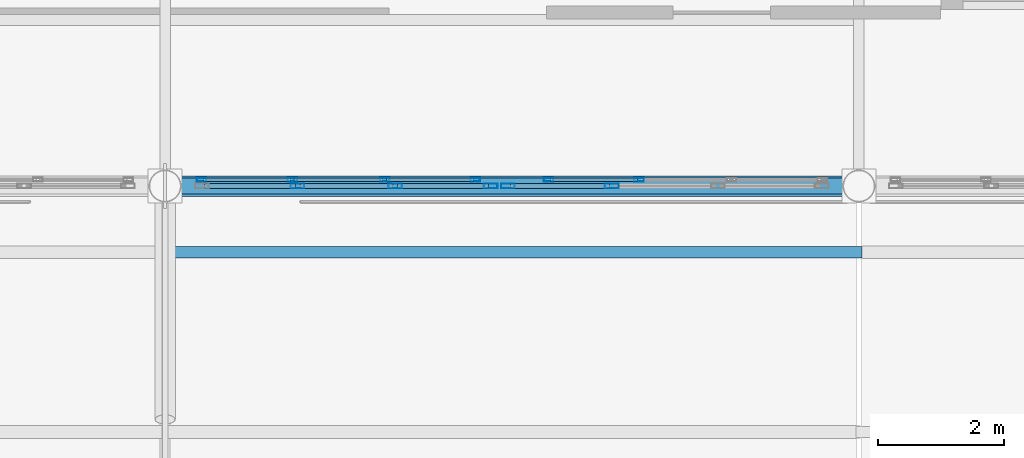
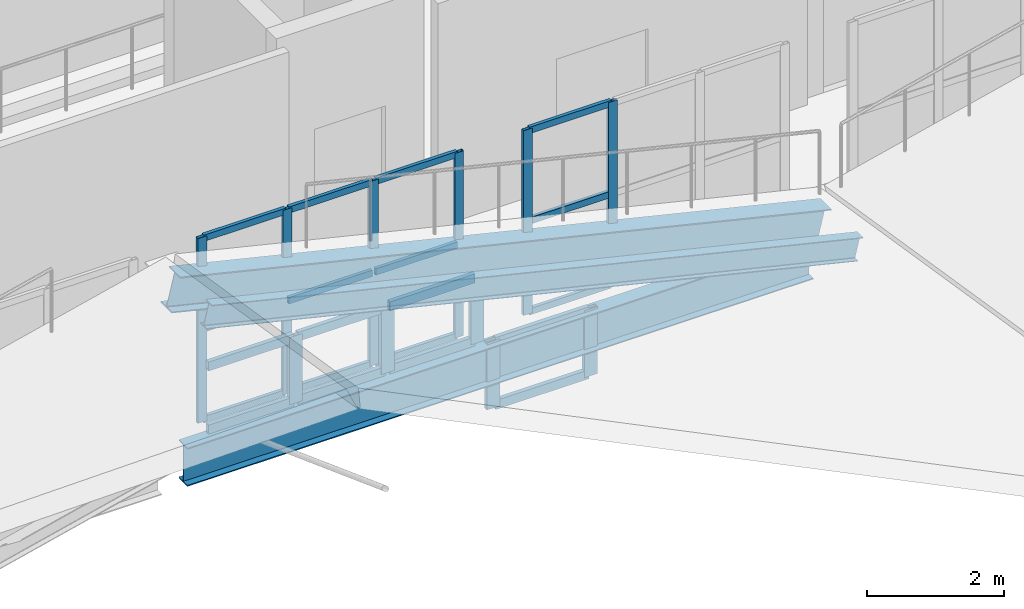
# One storey, part 31 of 120: 32 members, 2 beams, 4 elements without a shape of their own.
"""IFC4 building model written with IfcOpenShell, lengths in metres."""

from ifc_helpers import new_model, si_unit, direction, frame, origin, origin_2d, place, context, subcontext, project, spatial, hollow_rectangle, i_section, extrude, material, material_profile, profile_set, type_object, element, aggregate, save


model = new_model("IFC4")

# Units and contexts
model_context = context("Model", 3, precision=1e-05, world=origin(), true_north=direction((0.0, 1.0)))
body_context = subcontext(model_context, "Body", "Model", "MODEL_VIEW")
ifc_project = project(units=[si_unit("LENGTHUNIT", "METRE"), si_unit("AREAUNIT", "SQUARE_METRE"), si_unit("VOLUMEUNIT", "CUBIC_METRE"), si_unit("PLANEANGLEUNIT", "RADIAN"), si_unit("MASSUNIT", "GRAM", prefix="KILO")], contexts=[model_context])

# Site, building, storey
site_placement = place(None, origin())
site = spatial("IfcSite", under=ifc_project, at=site_placement, CompositionType="ELEMENT")
building_placement = place(site_placement, origin())
building = spatial("IfcBuilding", under=site, at=building_placement, Name="Caurita Quay Ferry Terminal", CompositionType="ELEMENT")
storey_placement = place(building_placement, frame((0.0, 0.0, 9.89990234375)))
storey = spatial("IfcBuildingStorey", under=building, at=storey_placement, Name="L02", CompositionType="ELEMENT", Elevation=9.89990234375)

# Beams
ifc_material_1 = material(Name="Structural steel ASTM A992 Gr. 50", Category="steel")
ifc_material_profile_1 = material_profile(ifc_material_1, i_section(OverallWidth=0.3251953125, OverallDepth=0.612060546875, WebThickness=0.0126953125, FlangeThickness=0.01904296875, FilletRadius=0.01513671875, at=origin_2d()), Name="W24X104")
ifc_profile_set_1 = profile_set([ifc_material_profile_1], Name="Structural steel ASTM A992 Gr. 50")
beam_type_1 = type_object("IfcBeamType", Name="BM-GR-W24A", PredefinedType="BEAM", material=ifc_profile_set_1)
beam_1_placement = place(storey_placement, frame((55.0, 62.699951171875, 2.610107421875), z_axis=(0.972389456854, 0.0, -0.233363973654), x_axis=(0.0, 1.0, 0.0)))
element("IfcBeam", 1, at=beam_1_placement, inside=storey, type_object=beam_type_1, Name="Folded Roof Gable Ring Girder V1-N-55", PredefinedType="BEAM", context=body_context, shape_type="SweptSolid", body=[
    extrude(i_section(OverallWidth=0.3251953125, OverallDepth=0.612060546875, WebThickness=0.0126953125, FlangeThickness=0.01904296875, FilletRadius=0.01513671875, at=origin_2d()), origin(), (0.0, 0.0, 1.0), 11.312255859375),
])
ifc_material_profile_2 = material_profile(ifc_material_1, i_section(OverallWidth=0.25390625, OverallDepth=0.68310546875, WebThickness=0.012451171875, FlangeThickness=0.018798828125, at=origin_2d()), Name="W27X94")
ifc_profile_set_2 = profile_set([ifc_material_profile_2], Name="Structural steel ASTM A992 Gr. 50")
beam_type_2 = type_object("IfcBeamType", Name="BM-GR-W27B", PredefinedType="BEAM", material=ifc_profile_set_2)
beam_2_placement = place(storey_placement, frame((55.2158203125, 62.699951171875, -0.5615234375), z_axis=(1.0, 0.0, 0.0), x_axis=(0.0, 1.0, 0.0)))
element("IfcBeam", 2, at=beam_2_placement, inside=storey, type_object=beam_type_2, Name="L02 Beam BM-V1-L02-X-552-627", PredefinedType="BEAM", context=body_context, shape_type="SweptSolid", body=[
    extrude(i_section(OverallWidth=0.25390625, OverallDepth=0.68310546875, WebThickness=0.012451171875, FlangeThickness=0.018798828125, at=origin_2d()), origin(), (0.0, 0.0, 1.0), 10.568359375),
])

# Curtain wall, members
ifc_material_2 = material(Name="Laminated solar-control insulated glass", Category="glass")
curtain_wall_type_1 = type_object("IfcCurtainWallType", Name="CW-SYS-13", PredefinedType="NOTDEFINED", material=ifc_material_2)
curtain_wall_1_placement = place(storey_placement, origin())
curtain_wall_1 = element("IfcCurtainWall", 3, at=curtain_wall_1_placement, inside=storey, type_object=curtain_wall_type_1, Name="Mezzanine Hall Overlook Glazing 099", PredefinedType="NOTDEFINED")
ifc_material_3 = material(Name="Anodized aluminium 6063-T6", Category="aluminium")
ifc_material_profile_3 = material_profile(ifc_material_3, hollow_rectangle(XDim=0.06005859375, YDim=0.14990234375, WallThickness=0.00341796875, at=origin_2d()), Name="ALU-MUL-60X150")
ifc_profile_set_3 = profile_set([ifc_material_profile_3], Name="Anodized aluminium 6063-T6")
member_type_1 = type_object("IfcMemberType", Name="CW-MUL-150", PredefinedType="MULLION", material=ifc_profile_set_3)
member_1_placement = place(storey_placement, frame((55.580078125, 62.800048828125, 0.0), z_axis=(0.0, 0.0, 1.0), x_axis=(0.0, 1.0, 0.0)))
member_1 = element("IfcMember", 4, at=member_1_placement, type_object=member_type_1, Name="CW-MZL-099 Mullion 1", PredefinedType="MULLION", context=body_context, shape_type="SweptSolid", body=[
    extrude(hollow_rectangle(XDim=0.06005859375, YDim=0.14990234375, WallThickness=0.00341796875, at=origin_2d()), origin(), (0.0, 0.0, 1.0), 3.300048828125),
])
member_2_placement = place(storey_placement, frame((57.0166015625, 62.800048828125, 0.0), z_axis=(0.0, 0.0, 1.0), x_axis=(0.0, 1.0, 0.0)))
member_2 = element("IfcMember", 5, at=member_2_placement, type_object=member_type_1, Name="CW-MZL-099 Mullion 2", PredefinedType="MULLION", context=body_context, shape_type="SweptSolid", body=[
    extrude(hollow_rectangle(XDim=0.06005859375, YDim=0.14990234375, WallThickness=0.00341796875, at=origin_2d()), origin(), (0.0, 0.0, 1.0), 3.300048828125),
])
member_3_placement = place(storey_placement, frame((58.4833984375, 62.800048828125, 0.0), z_axis=(0.0, 0.0, 1.0), x_axis=(0.0, 1.0, 0.0)))
member_3 = element("IfcMember", 6, at=member_3_placement, type_object=member_type_1, Name="CW-MZL-099 Mullion 3", PredefinedType="MULLION", context=body_context, shape_type="SweptSolid", body=[
    extrude(hollow_rectangle(XDim=0.06005859375, YDim=0.14990234375, WallThickness=0.00341796875, at=origin_2d()), origin(), (0.0, 0.0, 1.0), 3.300048828125),
])
member_4_placement = place(storey_placement, frame((59.919921875, 62.800048828125, 0.0), z_axis=(0.0, 0.0, 1.0), x_axis=(0.0, 1.0, 0.0)))
member_4 = element("IfcMember", 7, at=member_4_placement, type_object=member_type_1, Name="CW-MZL-099 Mullion 4", PredefinedType="MULLION", context=body_context, shape_type="SweptSolid", body=[
    extrude(hollow_rectangle(XDim=0.06005859375, YDim=0.14990234375, WallThickness=0.00341796875, at=origin_2d()), origin(), (0.0, 0.0, 1.0), 3.300048828125),
])

curtain_wall_2_placement = place(storey_placement, origin())
curtain_wall_2 = element("IfcCurtainWall", 8, at=curtain_wall_2_placement, inside=storey, type_object=curtain_wall_type_1, Name="Mezzanine Hall Overlook Glazing 100", PredefinedType="NOTDEFINED")
member_5_placement = place(storey_placement, frame((61.080078125, 62.800048828125, 0.0), z_axis=(0.0, 0.0, 1.0), x_axis=(0.0, 1.0, 0.0)))
member_5 = element("IfcMember", 9, at=member_5_placement, type_object=member_type_1, Name="CW-MZL-100 Mullion 1", PredefinedType="MULLION", context=body_context, shape_type="SweptSolid", body=[
    extrude(hollow_rectangle(XDim=0.06005859375, YDim=0.14990234375, WallThickness=0.00341796875, at=origin_2d()), origin(), (0.0, 0.0, 1.0), 3.300048828125),
])
member_6_placement = place(storey_placement, frame((62.5166015625, 62.800048828125, 0.0), z_axis=(0.0, 0.0, 1.0), x_axis=(0.0, 1.0, 0.0)))
member_6 = element("IfcMember", 10, at=member_6_placement, type_object=member_type_1, Name="CW-MZL-100 Mullion 2", PredefinedType="MULLION", context=body_context, shape_type="SweptSolid", body=[
    extrude(hollow_rectangle(XDim=0.06005859375, YDim=0.14990234375, WallThickness=0.00341796875, at=origin_2d()), origin(), (0.0, 0.0, 1.0), 3.300048828125),
])

curtain_wall_type_2 = type_object("IfcCurtainWallType", Name="CW-SYS-05", PredefinedType="NOTDEFINED", material=ifc_material_2)
curtain_wall_3_placement = place(storey_placement, origin())
curtain_wall_3 = element("IfcCurtainWall", 11, at=curtain_wall_3_placement, inside=storey, type_object=curtain_wall_type_2, Name="Folded Roof Clerestory FB-03-N3", PredefinedType="NOTDEFINED")
ifc_material_profile_4 = material_profile(ifc_material_3, hollow_rectangle(XDim=0.074951171875, YDim=0.219970703125, WallThickness=0.00390625, at=origin_2d()), Name="ALU-MUL-75X220")
ifc_profile_set_4 = profile_set([ifc_material_profile_4], Name="Anodized aluminium 6063-T6")
member_type_2 = type_object("IfcMemberType", Name="CW-MUL-220", PredefinedType="MULLION", material=ifc_profile_set_4)
member_7_placement = place(storey_placement, frame((57.10009765625, 62.699951171875, -0.122802734375), z_axis=(0.0, 0.0, 1.0), x_axis=(0.0, 1.0, 0.0)))
member_7 = element("IfcMember", 12, at=member_7_placement, type_object=member_type_2, Name="CW-CLR-023 Mullion 2", PredefinedType="MULLION", context=body_context, shape_type="SweptSolid", body=[
    extrude(hollow_rectangle(XDim=0.074951171875, YDim=0.219970703125, WallThickness=0.00390625, at=origin_2d()), origin(), (0.0, 0.0, 1.0), 1.199951171875),
])
member_8_placement = place(storey_placement, frame((58.64990234375, 62.699951171875, -0.122802734375), z_axis=(0.0, 0.0, 1.0), x_axis=(0.0, 1.0, 0.0)))
member_8 = element("IfcMember", 13, at=member_8_placement, type_object=member_type_2, Name="CW-CLR-023 Mullion 3", PredefinedType="MULLION", context=body_context, shape_type="SweptSolid", body=[
    extrude(hollow_rectangle(XDim=0.074951171875, YDim=0.219970703125, WallThickness=0.00390625, at=origin_2d()), origin(), (0.0, 0.0, 1.0), 1.199951171875),
])
member_9_placement = place(storey_placement, frame((60.16259765625, 62.699951171875, -0.122802734375), z_axis=(0.0, 0.0, 1.0), x_axis=(0.0, 1.0, 0.0)))
member_9 = element("IfcMember", 14, at=member_9_placement, type_object=member_type_2, Name="CW-CLR-023 Mullion 4", PredefinedType="MULLION", context=body_context, shape_type="SweptSolid", body=[
    extrude(hollow_rectangle(XDim=0.074951171875, YDim=0.219970703125, WallThickness=0.00390625, at=origin_2d()), origin(), (0.0, 0.0, 1.0), 1.199951171875),
])

curtain_wall_type_3 = type_object("IfcCurtainWallType", Name="CW-SYS-06", PredefinedType="NOTDEFINED", material=ifc_material_2)
curtain_wall_4_placement = place(storey_placement, origin())
curtain_wall_4 = element("IfcCurtainWall", 15, at=curtain_wall_4_placement, inside=storey, type_object=curtain_wall_type_3, Name="Folded Roof Clerestory FB-03-N4", PredefinedType="NOTDEFINED")
member_10_placement = place(storey_placement, frame((60.4375, 62.699951171875, -1.3828125), z_axis=(0.0, 0.0, 1.0), x_axis=(0.0, 1.0, 0.0)))
member_10 = element("IfcMember", 16, at=member_10_placement, type_object=member_type_2, Name="CW-CLR-024 Mullion 1", PredefinedType="MULLION", context=body_context, shape_type="SweptSolid", body=[
    extrude(hollow_rectangle(XDim=0.074951171875, YDim=0.219970703125, WallThickness=0.00390625, at=origin_2d()), origin(), (0.0, 0.0, 1.0), 1.199951171875),
])
member_11_placement = place(storey_placement, frame((62.083251953125, 62.699951171875, -1.3828125), z_axis=(0.0, 0.0, 1.0), x_axis=(0.0, 1.0, 0.0)))
member_11 = element("IfcMember", 17, at=member_11_placement, type_object=member_type_2, Name="CW-CLR-024 Mullion 2", PredefinedType="MULLION", context=body_context, shape_type="SweptSolid", body=[
    extrude(hollow_rectangle(XDim=0.074951171875, YDim=0.219970703125, WallThickness=0.00390625, at=origin_2d()), origin(), (0.0, 0.0, 1.0), 1.199951171875),
])

# Member
ifc_material_profile_5 = material_profile(ifc_material_3, hollow_rectangle(XDim=0.06005859375, YDim=0.114990234375, WallThickness=0.00341796875, at=origin_2d()), Name="ALU-TRN-60X115")
ifc_profile_set_5 = profile_set([ifc_material_profile_5], Name="Anodized aluminium 6063-T6")
member_type_3 = type_object("IfcMemberType", Name="CW-TRN-115", PredefinedType="USERDEFINED", material=ifc_profile_set_5)
member_12_placement = place(storey_placement, frame((55.60791015625, 62.800048828125, 0.030029296875), z_axis=(1.0, 0.0, 0.0), x_axis=(0.0, 1.0, 0.0)))
member_12 = element("IfcMember", 18, at=member_12_placement, type_object=member_type_3, Name="CW-MZL-099 Transom 1", ObjectType="TRANSOM", PredefinedType="USERDEFINED", context=body_context, shape_type="SweptSolid", body=[
    extrude(hollow_rectangle(XDim=0.06005859375, YDim=0.114990234375, WallThickness=0.00341796875, at=origin_2d()), origin(), (0.0, 0.0, 1.0), 1.380859375),
])

member_13_placement = place(storey_placement, frame((55.60791015625, 62.800048828125, 1.650146484375), z_axis=(1.0, 0.0, 0.0), x_axis=(0.0, 1.0, 0.0)))
member_13 = element("IfcMember", 19, at=member_13_placement, type_object=member_type_3, Name="CW-MZL-099 Transom 2", ObjectType="TRANSOM", PredefinedType="USERDEFINED", context=body_context, shape_type="SweptSolid", body=[
    extrude(hollow_rectangle(XDim=0.06005859375, YDim=0.114990234375, WallThickness=0.00341796875, at=origin_2d()), origin(), (0.0, 0.0, 1.0), 1.380859375),
])

member_14_placement = place(storey_placement, frame((55.60791015625, 62.800048828125, 3.27001953125), z_axis=(1.0, 0.0, 0.0), x_axis=(0.0, 1.0, 0.0)))
member_14 = element("IfcMember", 20, at=member_14_placement, type_object=member_type_3, Name="CW-MZL-099 Transom 3", ObjectType="TRANSOM", PredefinedType="USERDEFINED", context=body_context, shape_type="SweptSolid", body=[
    extrude(hollow_rectangle(XDim=0.06005859375, YDim=0.114990234375, WallThickness=0.00341796875, at=origin_2d()), origin(), (0.0, 0.0, 1.0), 1.380859375),
])

member_15_placement = place(storey_placement, frame((57.044677734375, 62.800048828125, 0.030029296875), z_axis=(1.0, 0.0, 0.0), x_axis=(0.0, 1.0, 0.0)))
member_15 = element("IfcMember", 21, at=member_15_placement, type_object=member_type_3, Name="CW-MZL-099 Transom 4", ObjectType="TRANSOM", PredefinedType="USERDEFINED", context=body_context, shape_type="SweptSolid", body=[
    extrude(hollow_rectangle(XDim=0.06005859375, YDim=0.114990234375, WallThickness=0.00341796875, at=origin_2d()), origin(), (0.0, 0.0, 1.0), 1.41064453125),
])

member_16_placement = place(storey_placement, frame((57.044677734375, 62.800048828125, 1.650146484375), z_axis=(1.0, 0.0, 0.0), x_axis=(0.0, 1.0, 0.0)))
member_16 = element("IfcMember", 22, at=member_16_placement, type_object=member_type_3, Name="CW-MZL-099 Transom 5", ObjectType="TRANSOM", PredefinedType="USERDEFINED", context=body_context, shape_type="SweptSolid", body=[
    extrude(hollow_rectangle(XDim=0.06005859375, YDim=0.114990234375, WallThickness=0.00341796875, at=origin_2d()), origin(), (0.0, 0.0, 1.0), 1.41064453125),
])

member_17_placement = place(storey_placement, frame((57.044677734375, 62.800048828125, 3.27001953125), z_axis=(1.0, 0.0, 0.0), x_axis=(0.0, 1.0, 0.0)))
member_17 = element("IfcMember", 23, at=member_17_placement, type_object=member_type_3, Name="CW-MZL-099 Transom 6", ObjectType="TRANSOM", PredefinedType="USERDEFINED", context=body_context, shape_type="SweptSolid", body=[
    extrude(hollow_rectangle(XDim=0.06005859375, YDim=0.114990234375, WallThickness=0.00341796875, at=origin_2d()), origin(), (0.0, 0.0, 1.0), 1.41064453125),
])

member_18_placement = place(storey_placement, frame((58.51123046875, 62.800048828125, 0.030029296875), z_axis=(1.0, 0.0, 0.0), x_axis=(0.0, 1.0, 0.0)))
member_18 = element("IfcMember", 24, at=member_18_placement, type_object=member_type_3, Name="CW-MZL-099 Transom 7", ObjectType="TRANSOM", PredefinedType="USERDEFINED", context=body_context, shape_type="SweptSolid", body=[
    extrude(hollow_rectangle(XDim=0.06005859375, YDim=0.114990234375, WallThickness=0.00341796875, at=origin_2d()), origin(), (0.0, 0.0, 1.0), 1.380859375),
])

member_19_placement = place(storey_placement, frame((58.51123046875, 62.800048828125, 1.650146484375), z_axis=(1.0, 0.0, 0.0), x_axis=(0.0, 1.0, 0.0)))
member_19 = element("IfcMember", 25, at=member_19_placement, type_object=member_type_3, Name="CW-MZL-099 Transom 8", ObjectType="TRANSOM", PredefinedType="USERDEFINED", context=body_context, shape_type="SweptSolid", body=[
    extrude(hollow_rectangle(XDim=0.06005859375, YDim=0.114990234375, WallThickness=0.00341796875, at=origin_2d()), origin(), (0.0, 0.0, 1.0), 1.380859375),
])

member_20_placement = place(storey_placement, frame((58.51123046875, 62.800048828125, 3.27001953125), z_axis=(1.0, 0.0, 0.0), x_axis=(0.0, 1.0, 0.0)))
member_20 = element("IfcMember", 26, at=member_20_placement, type_object=member_type_3, Name="CW-MZL-099 Transom 9", ObjectType="TRANSOM", PredefinedType="USERDEFINED", context=body_context, shape_type="SweptSolid", body=[
    extrude(hollow_rectangle(XDim=0.06005859375, YDim=0.114990234375, WallThickness=0.00341796875, at=origin_2d()), origin(), (0.0, 0.0, 1.0), 1.380859375),
])

aggregate(curtain_wall_1, [member_1, member_2, member_3, member_4, member_12, member_13, member_14, member_15, member_16, member_17, member_18, member_19, member_20])

member_21_placement = place(storey_placement, frame((61.10791015625, 62.800048828125, 0.030029296875), z_axis=(1.0, 0.0, 0.0), x_axis=(0.0, 1.0, 0.0)))
member_21 = element("IfcMember", 27, at=member_21_placement, type_object=member_type_3, Name="CW-MZL-100 Transom 1", ObjectType="TRANSOM", PredefinedType="USERDEFINED", context=body_context, shape_type="SweptSolid", body=[
    extrude(hollow_rectangle(XDim=0.06005859375, YDim=0.114990234375, WallThickness=0.00341796875, at=origin_2d()), origin(), (0.0, 0.0, 1.0), 1.380859375),
])

member_22_placement = place(storey_placement, frame((61.10791015625, 62.800048828125, 1.650146484375), z_axis=(1.0, 0.0, 0.0), x_axis=(0.0, 1.0, 0.0)))
member_22 = element("IfcMember", 28, at=member_22_placement, type_object=member_type_3, Name="CW-MZL-100 Transom 2", ObjectType="TRANSOM", PredefinedType="USERDEFINED", context=body_context, shape_type="SweptSolid", body=[
    extrude(hollow_rectangle(XDim=0.06005859375, YDim=0.114990234375, WallThickness=0.00341796875, at=origin_2d()), origin(), (0.0, 0.0, 1.0), 1.380859375),
])

member_23_placement = place(storey_placement, frame((61.10791015625, 62.800048828125, 3.27001953125), z_axis=(1.0, 0.0, 0.0), x_axis=(0.0, 1.0, 0.0)))
member_23 = element("IfcMember", 29, at=member_23_placement, type_object=member_type_3, Name="CW-MZL-100 Transom 3", ObjectType="TRANSOM", PredefinedType="USERDEFINED", context=body_context, shape_type="SweptSolid", body=[
    extrude(hollow_rectangle(XDim=0.06005859375, YDim=0.114990234375, WallThickness=0.00341796875, at=origin_2d()), origin(), (0.0, 0.0, 1.0), 1.380859375),
])

aggregate(curtain_wall_2, [member_5, member_6, member_21, member_22, member_23])

ifc_material_profile_6 = material_profile(ifc_material_3, hollow_rectangle(XDim=0.074951171875, YDim=0.159912109375, WallThickness=0.00390625, at=origin_2d()), Name="ALU-TRN-75X160")
ifc_profile_set_6 = profile_set([ifc_material_profile_6], Name="Anodized aluminium 6063-T6")
member_type_4 = type_object("IfcMemberType", Name="CW-TRN-160", PredefinedType="USERDEFINED", material=ifc_profile_set_6)
member_24_placement = place(storey_placement, frame((55.623046875, 62.699951171875, -0.08544921875), z_axis=(1.0, 0.0, 0.0), x_axis=(0.0, 1.0, 0.0)))
member_24 = element("IfcMember", 30, at=member_24_placement, type_object=member_type_4, Name="CW-CLR-023 Transom 1", ObjectType="TRANSOM", PredefinedType="USERDEFINED", context=body_context, shape_type="SweptSolid", body=[
    extrude(hollow_rectangle(XDim=0.074951171875, YDim=0.159912109375, WallThickness=0.00390625, at=origin_2d()), origin(), (0.0, 0.0, 1.0), 1.44140625),
])

member_25_placement = place(storey_placement, frame((55.623046875, 62.699951171875, 1.03955078125), z_axis=(1.0, 0.0, 0.0), x_axis=(0.0, 1.0, 0.0)))
member_25 = element("IfcMember", 31, at=member_25_placement, type_object=member_type_4, Name="CW-CLR-023 Transom 2", ObjectType="TRANSOM", PredefinedType="USERDEFINED", context=body_context, shape_type="SweptSolid", body=[
    extrude(hollow_rectangle(XDim=0.074951171875, YDim=0.159912109375, WallThickness=0.00390625, at=origin_2d()), origin(), (0.0, 0.0, 1.0), 1.44140625),
])

member_26_placement = place(storey_placement, frame((57.135498046875, 62.699951171875, -0.08544921875), z_axis=(1.0, 0.0, 0.0), x_axis=(0.0, 1.0, 0.0)))
member_26 = element("IfcMember", 32, at=member_26_placement, type_object=member_type_4, Name="CW-CLR-023 Transom 3", ObjectType="TRANSOM", PredefinedType="USERDEFINED", context=body_context, shape_type="SweptSolid", body=[
    extrude(hollow_rectangle(XDim=0.074951171875, YDim=0.159912109375, WallThickness=0.00390625, at=origin_2d()), origin(), (0.0, 0.0, 1.0), 1.47900390625),
])

member_27_placement = place(storey_placement, frame((57.135498046875, 62.699951171875, 1.03955078125), z_axis=(1.0, 0.0, 0.0), x_axis=(0.0, 1.0, 0.0)))
member_27 = element("IfcMember", 33, at=member_27_placement, type_object=member_type_4, Name="CW-CLR-023 Transom 4", ObjectType="TRANSOM", PredefinedType="USERDEFINED", context=body_context, shape_type="SweptSolid", body=[
    extrude(hollow_rectangle(XDim=0.074951171875, YDim=0.159912109375, WallThickness=0.00390625, at=origin_2d()), origin(), (0.0, 0.0, 1.0), 1.47900390625),
])

member_28_placement = place(storey_placement, frame((58.685546875, 62.699951171875, -0.08544921875), z_axis=(1.0, 0.0, 0.0), x_axis=(0.0, 1.0, 0.0)))
member_28 = element("IfcMember", 34, at=member_28_placement, type_object=member_type_4, Name="CW-CLR-023 Transom 5", ObjectType="TRANSOM", PredefinedType="USERDEFINED", context=body_context, shape_type="SweptSolid", body=[
    extrude(hollow_rectangle(XDim=0.074951171875, YDim=0.159912109375, WallThickness=0.00390625, at=origin_2d()), origin(), (0.0, 0.0, 1.0), 1.44140625),
])

member_29_placement = place(storey_placement, frame((58.685546875, 62.699951171875, 1.03955078125), z_axis=(1.0, 0.0, 0.0), x_axis=(0.0, 1.0, 0.0)))
member_29 = element("IfcMember", 35, at=member_29_placement, type_object=member_type_4, Name="CW-CLR-023 Transom 6", ObjectType="TRANSOM", PredefinedType="USERDEFINED", context=body_context, shape_type="SweptSolid", body=[
    extrude(hollow_rectangle(XDim=0.074951171875, YDim=0.159912109375, WallThickness=0.00390625, at=origin_2d()), origin(), (0.0, 0.0, 1.0), 1.44140625),
])

aggregate(curtain_wall_3, [member_7, member_8, member_9, member_24, member_25, member_26, member_27, member_28, member_29])

member_30_placement = place(storey_placement, frame((60.472900390625, 62.699951171875, -1.345458984375), z_axis=(1.0, 0.0, 0.0), x_axis=(0.0, 1.0, 0.0)))
member_30 = element("IfcMember", 36, at=member_30_placement, type_object=member_type_4, Name="CW-CLR-024 Transom 1", ObjectType="TRANSOM", PredefinedType="USERDEFINED", context=body_context, shape_type="SweptSolid", body=[
    extrude(hollow_rectangle(XDim=0.074951171875, YDim=0.159912109375, WallThickness=0.00390625, at=origin_2d()), origin(), (0.0, 0.0, 1.0), 1.574951171875),
])

member_31_placement = place(storey_placement, frame((60.472900390625, 62.699951171875, -0.220458984375), z_axis=(1.0, 0.0, 0.0), x_axis=(0.0, 1.0, 0.0)))
member_31 = element("IfcMember", 37, at=member_31_placement, type_object=member_type_4, Name="CW-CLR-024 Transom 2", ObjectType="TRANSOM", PredefinedType="USERDEFINED", context=body_context, shape_type="SweptSolid", body=[
    extrude(hollow_rectangle(XDim=0.074951171875, YDim=0.159912109375, WallThickness=0.00390625, at=origin_2d()), origin(), (0.0, 0.0, 1.0), 1.574951171875),
])

aggregate(curtain_wall_4, [member_10, member_11, member_30, member_31])

ifc_material_profile_7 = material_profile(ifc_material_1, i_section(OverallWidth=0.177734375, OverallDepth=0.40380859375, WebThickness=0.007568359375, FlangeThickness=0.010986328125, FilletRadius=0.011474609375, at=origin_2d()), Name="W16X36")
ifc_profile_set_7 = profile_set([ifc_material_profile_7], Name="Structural steel ASTM A992 Gr. 50")
member_type_5 = type_object("IfcMemberType", Name="MEM-PUR-16", PredefinedType="PURLIN", material=ifc_profile_set_7)
member_32_placement = place(storey_placement, frame((55.0, 61.64990234375, 2.80810546875), z_axis=(0.972389456854, 0.0, -0.233363973654), x_axis=(0.0, 1.0, 0.0)))
element("IfcMember", 38, at=member_32_placement, inside=storey, type_object=member_type_5, Name="Folded Roof Purlin PUR-060", PredefinedType="PURLIN", context=body_context, shape_type="SweptSolid", body=[
    extrude(i_section(OverallWidth=0.177734375, OverallDepth=0.40380859375, WebThickness=0.007568359375, FlangeThickness=0.010986328125, FilletRadius=0.011474609375, at=origin_2d()), origin(), (0.0, 0.0, 1.0), 11.312255859375),
])

save(model, "model.ifc")
